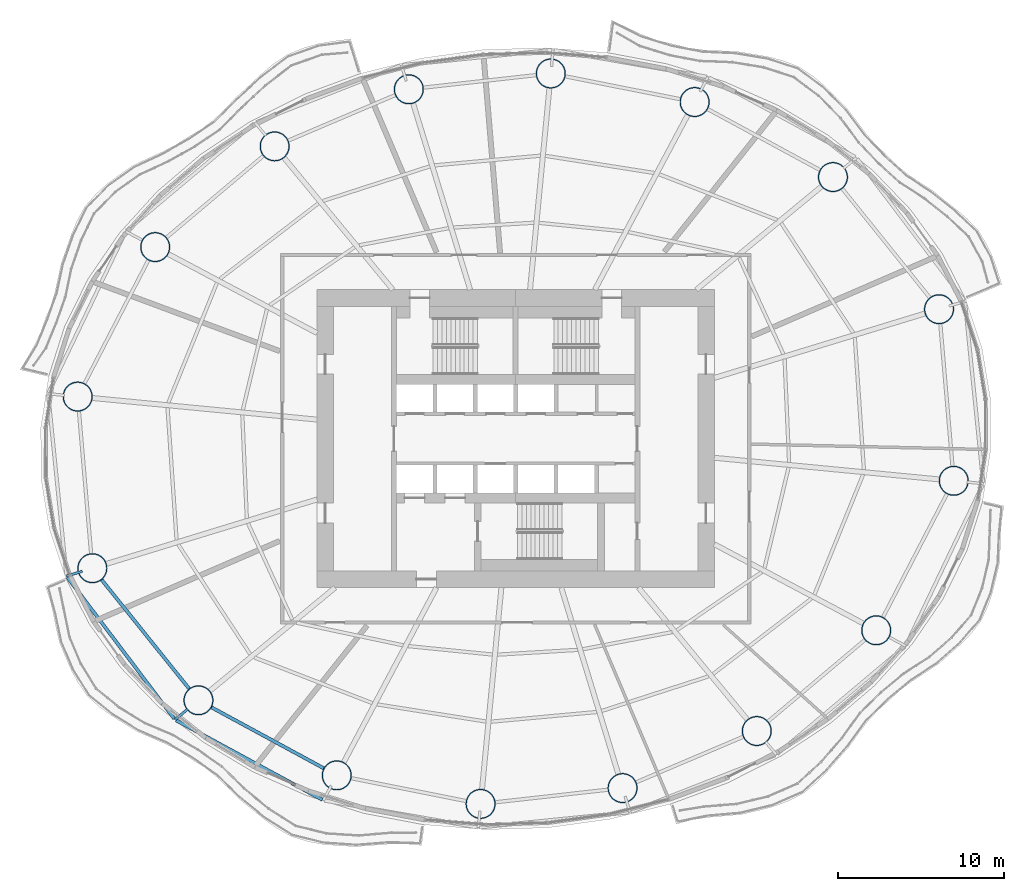
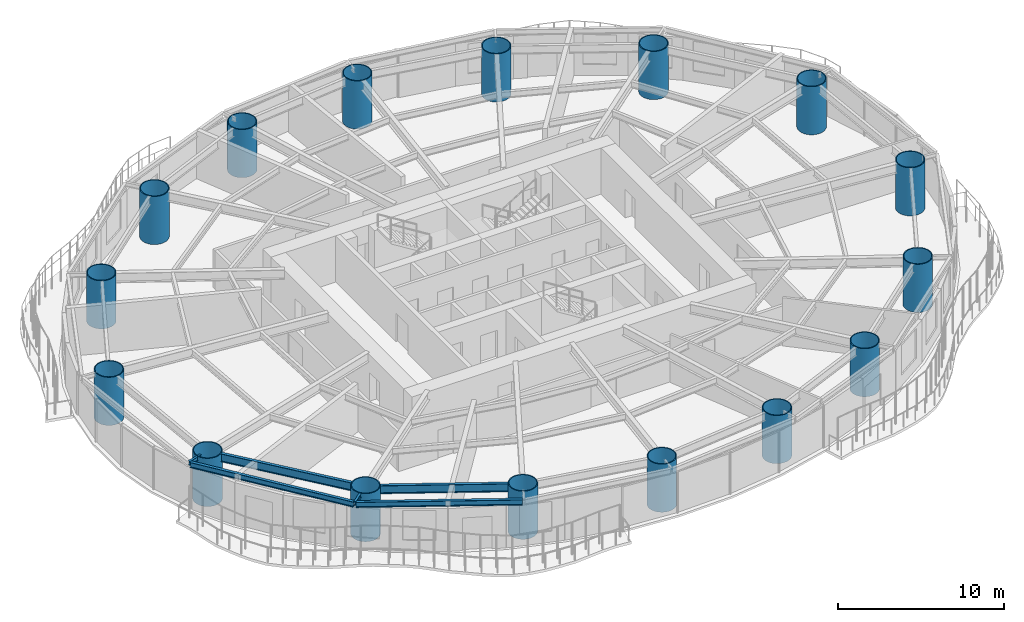
# One storey, part 1 of 17: 16 columns, 6 beams.
"""IFC4 building model written with IfcOpenShell, lengths in metres."""

from ifc_helpers import new_model, si_unit, direction, frame, origin, origin_2d, place, context, subcontext, project, spatial, hollow_circle, i_section, extrude, material, material_profile, profile_set, type_object, element, save


model = new_model("IFC4")

# Units and contexts
model_context = context("Model", 3, precision=1e-05, world=origin(), true_north=direction((0.0, 1.0)))
body_context = subcontext(model_context, "Body", "Model", "MODEL_VIEW")
ifc_project = project(units=[si_unit("LENGTHUNIT", "METRE"), si_unit("AREAUNIT", "SQUARE_METRE"), si_unit("VOLUMEUNIT", "CUBIC_METRE"), si_unit("PLANEANGLEUNIT", "RADIAN"), si_unit("MASSUNIT", "GRAM", prefix="KILO")], contexts=[model_context])

# Site, building, storey
site_placement = place(None, origin())
site = spatial("IfcSite", under=ifc_project, at=site_placement, CompositionType="ELEMENT")
building_placement = place(site_placement, origin())
building = spatial("IfcBuilding", under=site, at=building_placement, Name="Vermilion Reach Broadcast Tower", CompositionType="ELEMENT")
storey_placement = place(building_placement, frame((0.0, 0.0, 54.5)))
storey = spatial("IfcBuildingStorey", under=building, at=storey_placement, Name="L10", CompositionType="ELEMENT", Elevation=54.5)

# Columns
ifc_material_1 = material(Name="Concrete C80 infill in steel S460NL tube", Category="concrete")
ifc_material_profile_1 = material_profile(ifc_material_1, hollow_circle(Radius=0.89990234375, WallThickness=0.06005859375, at=origin_2d()), Name="Concrete C80 infill in steel S460NL tube CFT 1800x60")
ifc_profile_set_1 = profile_set([ifc_material_profile_1], Name="Concrete C80 infill in steel S460NL tube")
column_type = type_object("IfcColumnType", Name="MC1 CFT 1800x60", PredefinedType="COLUMN", material=ifc_profile_set_1)
for number, where, z_axis, x_axis, name in (
    (1, (19.575439453125, 7.823974609375, 0.0), (0.0, 0.0, 1.0), (1.0, 0.0, 0.0), "Mega-column MC1-01"),
    (2, (13.166259765625, 15.804931640625, 0.0), (0.0, 0.0, 1.0), (1.0, 0.0, 0.0), "Mega-column MC1-02"),
    (3, (4.809814453125, 20.3388671875, 0.0), (0.0, 0.0, 1.0), (1.0, 0.0, 0.0), "Mega-column MC1-03"),
    (4, (-3.87939453125, 22.06396484375, 0.0), (0.0, 0.0, 1.0), (1.0, 0.0, 0.0), "Mega-column MC1-04"),
    (5, (-12.45751953125, 21.108154296875, 0.0), (0.0, 0.0, 1.0), (1.0, 0.0, 0.0), "Mega-column MC1-05"),
    (6, (-20.563232421875, 17.660400390625, 0.0), (0.0, 0.0, 1.0), (1.0, 0.0, 0.0), "Mega-column MC1-06"),
    (7, (-27.77978515625, 11.57568359375, 0.0), (0.0, 0.0, 1.0), (1.0, 0.0, 0.0), "Mega-column MC1-07"),
    (8, (-32.464111328125, 2.54345703125, 0.0), (0.0, 0.0, 1.0), (1.0, 0.0, 0.0), "Mega-column MC1-08"),
    (9, (-31.575439453125, -7.823974609375, 0.0), (0.0, 0.0, 1.0), (1.0, 0.0, 0.0), "Mega-column MC1-09"),
    (10, (-25.166259765625, -15.804931640625, 0.0), (0.0, 0.0, 1.0), (1.0, 0.0, 0.0), "Mega-column MC1-10"),
    (11, (-16.809814453125, -20.3388671875, 0.0), (0.0, 0.0, 1.0), (1.0, 0.0, 0.0), "Mega-column MC1-11"),
    (12, (-8.12060546875, -22.06396484375, 0.0), (0.0, 0.0, 1.0), (1.0, 0.0, 0.0), "Mega-column MC1-12"),
    (13, (0.45751953125, -21.108154296875, 0.0), (0.0, 0.0, 1.0), (1.0, 0.0, 0.0), "Mega-column MC1-13"),
    (14, (8.563232421875, -17.660400390625, 0.0), (0.0, 0.0, 1.0), (1.0, 0.0, 0.0), "Mega-column MC1-14"),
    (15, (15.77978515625, -11.57568359375, 0.0), (0.0, 0.0, 1.0), (1.0, 0.0, 0.0), "Mega-column MC1-15"),
    (16, (20.464111328125, -2.54345703125, 0.0), (0.0, 0.0, 1.0), (1.0, 0.0, 0.0), "Mega-column MC1-16"),
):
    element("IfcColumn", number, at=place(storey_placement, frame(where, z_axis=z_axis, x_axis=x_axis)), inside=storey, type_object=column_type, Name=name, PredefinedType="COLUMN", context=body_context, shape_type="SweptSolid", body=[
        extrude(hollow_circle(Radius=0.89990234375, WallThickness=0.06005859375, at=origin_2d()), origin(), (0.0, 0.0, 1.0), 3.550048828125),
    ])

# Beams
ifc_material_2 = material(Name="Steel S355J2", Category="steel")
ifc_material_profile_2 = material_profile(ifc_material_2, i_section(OverallWidth=0.199951171875, OverallDepth=0.39990234375, WebThickness=0.008056640625, FlangeThickness=0.012939453125, at=origin_2d()), Name="S355J2 HN 400x200x8x13")
ifc_profile_set_2 = profile_set([ifc_material_profile_2], Name="Steel S355J2")
beam_type_1 = type_object("IfcBeamType", Name="EB1 HN 400x200x8x13", PredefinedType="BEAM", material=ifc_profile_set_2)
beam_1_placement = place(storey_placement, frame((-33.08935546875, -8.36572265625, 3.35009765625), z_axis=(0.602727038791, -0.797947439817, 0.0), x_axis=(0.797947439817, 0.602727038791, 0.0)))
element("IfcBeam", 17, at=beam_1_placement, inside=storey, type_object=beam_type_1, Name="Edge beam EB1-09", PredefinedType="BEAM", context=body_context, shape_type="SweptSolid", body=[
    extrude(i_section(OverallWidth=0.199951171875, OverallDepth=0.39990234375, WebThickness=0.008056640625, FlangeThickness=0.012939453125, at=origin_2d()), origin(), (0.0, 0.0, 1.0), 10.715087890625),
])
beam_2_placement = place(storey_placement, frame((-26.5146484375, -17.014404296875, 3.35009765625), z_axis=(0.878664589096, -0.477439566719, 0.0), x_axis=(0.477439566719, 0.878664589096, 0.0)))
element("IfcBeam", 18, at=beam_2_placement, inside=storey, type_object=beam_type_1, Name="Edge beam EB1-10", PredefinedType="BEAM", context=body_context, shape_type="SweptSolid", body=[
    extrude(i_section(OverallWidth=0.199951171875, OverallDepth=0.39990234375, WebThickness=0.008056640625, FlangeThickness=0.012939453125, at=origin_2d()), origin(), (0.0, 0.0, 1.0), 10.05517578125),
])
ifc_material_3 = material(Name="Steel S355J2", Category="steel")
ifc_material_profile_3 = material_profile(ifc_material_3, i_section(OverallWidth=0.14990234375, OverallDepth=0.300048828125, WebThickness=0.006591796875, FlangeThickness=0.009033203125, at=origin_2d()), Name="S355J2 HN 300x150x6.5x9")
ifc_profile_set_3 = profile_set([ifc_material_profile_3], Name="Steel S355J2")
beam_type_2 = type_object("IfcBeamType", Name="GS1 HN 300x150x6.5x9", PredefinedType="BEAM", material=ifc_profile_set_3)
beam_3_placement = place(storey_placement, frame((-32.18115234375, -8.009521484375, 3.39990234375), z_axis=(-0.95627383467, -0.292472824594, 0.0), x_axis=(0.292472824594, -0.95627383467, 0.0)))
element("IfcBeam", 19, at=beam_3_placement, inside=storey, type_object=beam_type_2, Name="Cantilever stub GS1-09", PredefinedType="BEAM", context=body_context, shape_type="SweptSolid", body=[
    extrude(i_section(OverallWidth=0.14990234375, OverallDepth=0.300048828125, WebThickness=0.006591796875, FlangeThickness=0.009033203125, at=origin_2d()), origin(), (0.0, 0.0, 1.0), 1.0),
])
beam_4_placement = place(storey_placement, frame((-25.814208984375, -16.33935546875, 3.39990234375), z_axis=(-0.77159191305, -0.636117850493, 0.0), x_axis=(0.636117850493, -0.77159191305, 0.0)))
element("IfcBeam", 20, at=beam_4_placement, inside=storey, type_object=beam_type_2, Name="Cantilever stub GS1-10", PredefinedType="BEAM", context=body_context, shape_type="SweptSolid", body=[
    extrude(i_section(OverallWidth=0.14990234375, OverallDepth=0.300048828125, WebThickness=0.006591796875, FlangeThickness=0.009033203125, at=origin_2d()), origin(), (0.0, 0.0, 1.0), 1.000244140625),
])
ifc_material_4 = material(Name="Steel S355J2", Category="steel")
ifc_material_profile_4 = material_profile(ifc_material_4, i_section(OverallWidth=0.199951171875, OverallDepth=0.60009765625, WebThickness=0.010986328125, FlangeThickness=0.01708984375, at=origin_2d()), Name="S355J2 HN 600x200x11x17")
ifc_profile_set_4 = profile_set([ifc_material_profile_4], Name="Steel S355J2")
beam_type_3 = type_object("IfcBeamType", Name="RB1 HN 600x200x11x17", PredefinedType="BEAM", material=ifc_profile_set_4)
beam_5_placement = place(storey_placement, frame((-31.011962890625, -8.52587890625, 3.25), z_axis=(0.626162157191, -0.779692858055, 0.0), x_axis=(0.779692858055, 0.626162157191, 0.0)))
element("IfcBeam", 21, at=beam_5_placement, inside=storey, type_object=beam_type_3, Name="Ring beam RB1-09", PredefinedType="BEAM", context=body_context, shape_type="SweptSolid", body=[
    extrude(i_section(OverallWidth=0.199951171875, OverallDepth=0.60009765625, WebThickness=0.010986328125, FlangeThickness=0.01708984375, at=origin_2d()), origin(), (0.0, 0.0, 1.0), 8.435791015625),
])
beam_6_placement = place(storey_placement, frame((-24.375244140625, -16.234130859375, 3.25), z_axis=(0.878962319551, -0.476891225344, 0.0), x_axis=(0.476891225344, 0.878962319551, 0.0)))
element("IfcBeam", 22, at=beam_6_placement, inside=storey, type_object=beam_type_3, Name="Ring beam RB1-10", PredefinedType="BEAM", context=body_context, shape_type="SweptSolid", body=[
    extrude(i_section(OverallWidth=0.199951171875, OverallDepth=0.60009765625, WebThickness=0.010986328125, FlangeThickness=0.01708984375, at=origin_2d()), origin(), (0.0, 0.0, 1.0), 7.707275390625),
])

save(model, "model.ifc")
